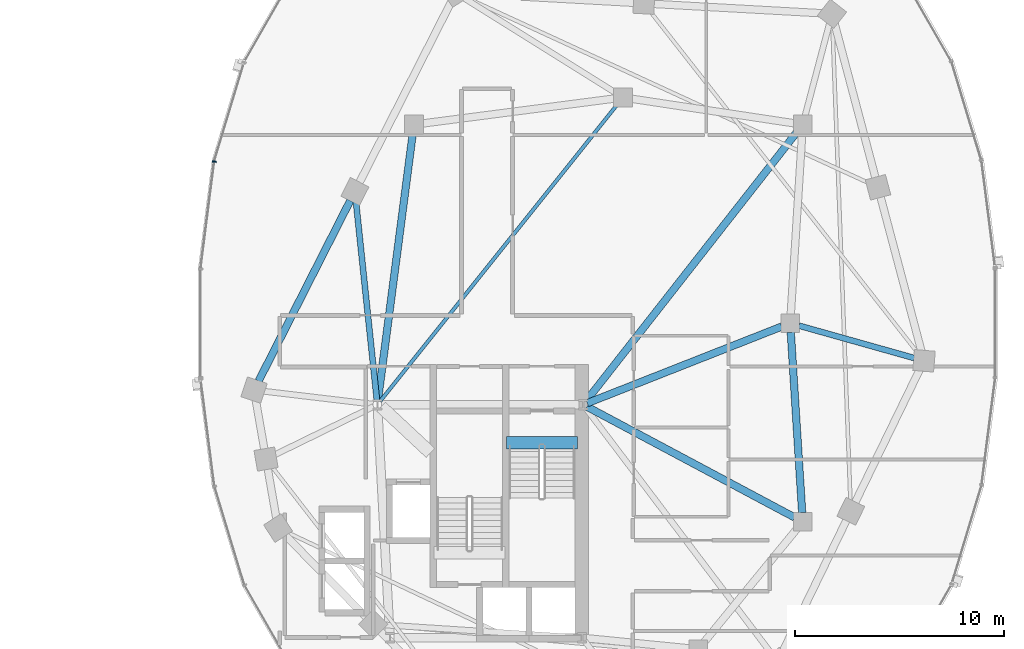
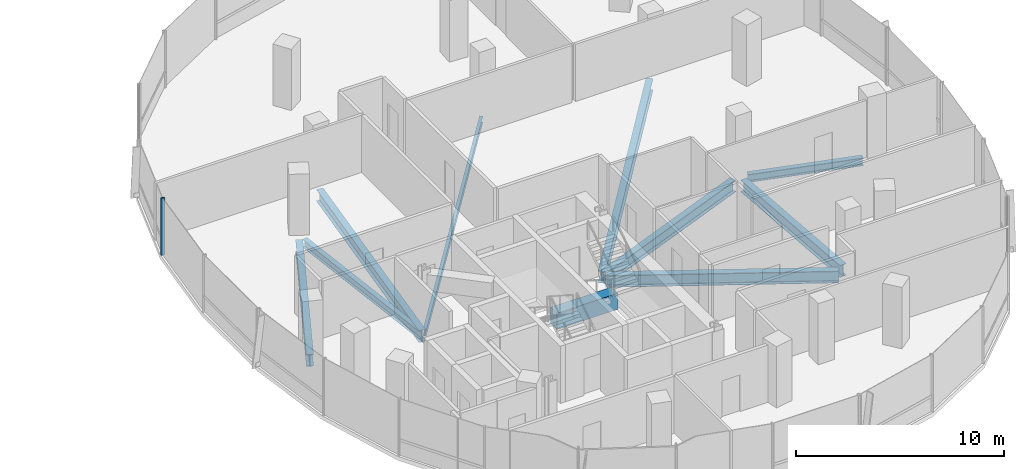
# One storey, part 7 of 22: 10 beams, 1 member, 1 element without a shape of its own.
"""IFC4 building model written with IfcOpenShell, lengths in metres."""

from ifc_helpers import new_model, si_unit, direction, frame, origin, origin_2d, place, context, subcontext, project, spatial, rectangle, i_section, extrude, material, material_profile, profile_set, type_object, element, aggregate, save


model = new_model("IFC4")

# Units and contexts
model_context = context("Model", 3, precision=1e-05, world=origin(), true_north=direction((0.0, 1.0)))
body_context = subcontext(model_context, "Body", "Model", "MODEL_VIEW")
ifc_project = project(units=[si_unit("LENGTHUNIT", "METRE"), si_unit("AREAUNIT", "SQUARE_METRE"), si_unit("VOLUMEUNIT", "CUBIC_METRE"), si_unit("PLANEANGLEUNIT", "RADIAN"), si_unit("MASSUNIT", "GRAM", prefix="KILO"), si_unit("THERMODYNAMICTEMPERATUREUNIT", "KELVIN"), si_unit("POWERUNIT", "WATT")], contexts=[model_context])

# Site, building, storey
site_placement = place(None, origin())
site = spatial("IfcSite", under=ifc_project, at=site_placement, CompositionType="ELEMENT")
building_placement = place(site_placement, origin())
building = spatial("IfcBuilding", under=site, at=building_placement, Name="Cundina Bronze Exchange", CompositionType="ELEMENT")
storey_placement = place(building_placement, frame((0.0, 0.0, 147.60009765625)))
storey = spatial("IfcBuildingStorey", under=building, at=storey_placement, Name="L38", CompositionType="ELEMENT", Elevation=147.60009765625)

# Beams
ifc_material_1 = material(Name="Concrete C60/75", Category="concrete")
ifc_material_profile_1 = material_profile(ifc_material_1, rectangle(XDim=0.60009765625, YDim=0.949951171875, at=origin_2d()), Name="RC600X950", Category="concrete")
ifc_profile_set_1 = profile_set([ifc_material_profile_1], Name="Concrete C60/75")
beam_type_1 = type_object("IfcBeamType", Name="BM-COUP-RC950", PredefinedType="LINTEL", material=ifc_profile_set_1)
beam_1_placement = place(storey_placement, frame((27.6201171875, -5.719970703125, -0.47509765625), z_axis=(1.0, 0.0, 0.0), x_axis=(0.0, 1.0, 0.0)))
element("IfcBeam", 1, at=beam_1_placement, inside=storey, type_object=beam_type_1, Name="L38 Stair E1 Landing Header Beam", PredefinedType="LINTEL", context=body_context, shape_type="SweptSolid", body=[
    extrude(rectangle(XDim=0.60009765625, YDim=0.949951171875, at=origin_2d()), origin(), (0.0, 0.0, 1.0), 3.39990234375),
])
ifc_material_2 = material(Name="Steel ASTM A992 Grade 50", Category="steel")
ifc_material_profile_2 = material_profile(ifc_material_2, i_section(OverallWidth=0.280029296875, OverallDepth=0.462890625, WebThickness=0.0107421875, FlangeThickness=0.017333984375, FilletRadius=0.011962890625, at=origin_2d()), Name="W18X76", Category="steel")
ifc_profile_set_2 = profile_set([ifc_material_profile_2], Name="Steel ASTM A992 Grade 50")
beam_type_2 = type_object("IfcBeamType", Name="BM-FLR-W18A", PredefinedType="BEAM", material=ifc_profile_set_2)
beam_2_placement = place(storey_placement, frame((41.62158203125, -0.11865234375, -0.4716796875), z_axis=(0.962649202648, -0.270751754643, 0.0), x_axis=(0.270751754643, 0.962649202648, 0.0)))
element("IfcBeam", 2, at=beam_2_placement, inside=storey, type_object=beam_type_2, Name="L38 Leg E Chordal Floor Beam 08", PredefinedType="BEAM", context=body_context, shape_type="SweptSolid", body=[
    extrude(i_section(OverallWidth=0.280029296875, OverallDepth=0.462890625, WebThickness=0.0107421875, FlangeThickness=0.017333984375, FilletRadius=0.011962890625, at=origin_2d()), origin(), (0.0, 0.0, 1.0), 5.72216796875),
])
beam_3_placement = place(storey_placement, frame((21.4287109375, -3.697021484375, -0.4716796875), z_axis=(-0.104834931651, 0.9944896365, 0.0), x_axis=(-0.9944896365, -0.104834931651, 0.0)))
element("IfcBeam", 3, at=beam_3_placement, inside=storey, type_object=beam_type_2, Name="L38 Leg E Chordal Floor Beam 13", PredefinedType="BEAM", context=body_context, shape_type="SweptSolid", body=[
    extrude(i_section(OverallWidth=0.280029296875, OverallDepth=0.462890625, WebThickness=0.0107421875, FlangeThickness=0.017333984375, FilletRadius=0.011962890625, at=origin_2d()), origin(), (0.0, 0.0, 1.0), 9.564453125),
])
ifc_material_profile_3 = material_profile(ifc_material_2, i_section(OverallWidth=0.172119140625, OverallDepth=0.35791015625, WebThickness=0.0078125, FlangeThickness=0.01318359375, FilletRadius=0.010009765625, at=origin_2d()), Name="W14X38", Category="steel")
ifc_profile_set_3 = profile_set([ifc_material_profile_3], Name="Steel ASTM A992 Grade 50")
beam_type_3 = type_object("IfcBeamType", Name="BM-JST-W14", PredefinedType="JOIST", material=ifc_profile_set_3)
beam_4_placement = place(storey_placement, frame((21.577392578125, -3.740478515625, -0.419189453125), z_axis=(0.624370675223, 0.781128196854, 0.0), x_axis=(-0.781128196854, 0.624370675223, 0.0)))
element("IfcBeam", 4, at=beam_4_placement, inside=storey, type_object=beam_type_3, Name="L38 E Interior Core-to-Ring Joist 2", PredefinedType="JOIST", context=body_context, shape_type="SweptSolid", body=[
    extrude(i_section(OverallWidth=0.172119140625, OverallDepth=0.35791015625, WebThickness=0.0078125, FlangeThickness=0.01318359375, FilletRadius=0.010009765625, at=origin_2d()), origin(), (0.0, 0.0, 1.0), 18.177001953125),
])
ifc_material_profile_4 = material_profile(ifc_material_2, i_section(OverallWidth=0.35498046875, OverallDepth=0.695068359375, WebThickness=0.015380859375, FlangeThickness=0.02490234375, FilletRadius=0.01806640625, at=origin_2d()), Name="W27X146", Category="steel")
ifc_profile_set_4 = profile_set([ifc_material_profile_4], Name="Steel ASTM A992 Grade 50")
beam_type_4 = type_object("IfcBeamType", Name="BM-RING-W27", PredefinedType="USERDEFINED", material=ifc_profile_set_4)
beam_5_placement = place(storey_placement, frame((41.7724609375, -9.06298828125, -0.587646484375), z_axis=(-0.063046519736, 0.998010589297, 0.0), x_axis=(-0.998010589297, -0.063046519736, 0.0)))
element("IfcBeam", 5, at=beam_5_placement, inside=storey, type_object=beam_type_4, Name="L38 E Inner Structural Ring Girder 03", ObjectType="GIRDER", PredefinedType="USERDEFINED", context=body_context, shape_type="SweptSolid", body=[
    extrude(i_section(OverallWidth=0.35498046875, OverallDepth=0.695068359375, WebThickness=0.015380859375, FlangeThickness=0.02490234375, FilletRadius=0.01806640625, at=origin_2d()), origin(), (0.0, 0.0, 1.0), 8.64306640625),
])
beam_6_placement = place(storey_placement, frame((23.143310546875, 9.065673828125, -0.587646484375), z_axis=(-0.129507030047, -0.991578503785, 0.0), x_axis=(0.991578503785, -0.129507030047, 0.0)))
element("IfcBeam", 6, at=beam_6_placement, inside=storey, type_object=beam_type_4, Name="L38 E Inner Structural Ring Girder 07", ObjectType="GIRDER", PredefinedType="USERDEFINED", context=body_context, shape_type="SweptSolid", body=[
    extrude(i_section(OverallWidth=0.35498046875, OverallDepth=0.695068359375, WebThickness=0.015380859375, FlangeThickness=0.02490234375, FilletRadius=0.01806640625, at=origin_2d()), origin(), (0.0, 0.0, 1.0), 12.871826171875),
])
beam_7_placement = place(storey_placement, frame((31.48974609375, -3.8251953125, -0.587646484375), z_axis=(0.930405617189, 0.36653156413, 0.0), x_axis=(-0.36653156413, 0.930405617189, 0.0)))
element("IfcBeam", 7, at=beam_7_placement, inside=storey, type_object=beam_type_4, Name="L38 E Core-to-Waist Tie Beam 1", ObjectType="GIRDER", PredefinedType="USERDEFINED", context=body_context, shape_type="SweptSolid", body=[
    extrude(i_section(OverallWidth=0.35498046875, OverallDepth=0.695068359375, WebThickness=0.015380859375, FlangeThickness=0.02490234375, FilletRadius=0.01806640625, at=origin_2d()), origin(), (0.0, 0.0, 1.0), 9.99853515625),
])
beam_8_placement = place(storey_placement, frame((31.47998046875, -3.99609375, -0.587646484375), z_axis=(0.88235534237, -0.470583733028, 0.0), x_axis=(0.470583733028, 0.88235534237, 0.0)))
element("IfcBeam", 8, at=beam_8_placement, inside=storey, type_object=beam_type_4, Name="L38 E Core-to-Waist Tie Beam 2", ObjectType="GIRDER", PredefinedType="USERDEFINED", context=body_context, shape_type="SweptSolid", body=[
    extrude(i_section(OverallWidth=0.35498046875, OverallDepth=0.695068359375, WebThickness=0.015380859375, FlangeThickness=0.02490234375, FilletRadius=0.01806640625, at=origin_2d()), origin(), (0.0, 0.0, 1.0), 11.258056640625),
])
beam_9_placement = place(storey_placement, frame((31.42578125, -3.739501953125, -0.587646484375), z_axis=(0.616779109924, 0.787136283982, 0.0), x_axis=(-0.787136283982, 0.616779109924, 0.0)))
element("IfcBeam", 9, at=beam_9_placement, inside=storey, type_object=beam_type_4, Name="L38 E Core-to-Waist Tie Beam 3", ObjectType="GIRDER", PredefinedType="USERDEFINED", context=body_context, shape_type="SweptSolid", body=[
    extrude(i_section(OverallWidth=0.35498046875, OverallDepth=0.695068359375, WebThickness=0.015380859375, FlangeThickness=0.02490234375, FilletRadius=0.01806640625, at=origin_2d()), origin(), (0.0, 0.0, 1.0), 16.3818359375),
])
beam_10_placement = place(storey_placement, frame((20.154052734375, 5.864990234375, -0.587646484375), z_axis=(-0.452834585354, -0.891594548159, 0.0), x_axis=(0.891594548159, -0.452834585354, 0.0)))
element("IfcBeam", 10, at=beam_10_placement, inside=storey, type_object=beam_type_4, Name="L38 E Perimeter Ring Girder 13", ObjectType="GIRDER", PredefinedType="USERDEFINED", context=body_context, shape_type="SweptSolid", body=[
    extrude(i_section(OverallWidth=0.35498046875, OverallDepth=0.695068359375, WebThickness=0.015380859375, FlangeThickness=0.02490234375, FilletRadius=0.01806640625, at=origin_2d()), origin(), (0.0, 0.0, 1.0), 9.67919921875),
])

# Curtain wall, member
ifc_material_3 = material(Name="Anodised Bronze Aluminium 6063-T6", Category="aluminium")
curtain_wall_type = type_object("IfcCurtainWallType", Name="CWS-WST-PIN", PredefinedType="NOTDEFINED", material=ifc_material_3)
curtain_wall_placement = place(storey_placement, origin())
curtain_wall = element("IfcCurtainWall", 11, at=curtain_wall_placement, inside=storey, type_object=curtain_wall_type, Name="L38 CW-04 Curtain Wall Run CWR-L38-E2", PredefinedType="NOTDEFINED")
ifc_material_profile_5 = material_profile(ifc_material_3, rectangle(XDim=0.070068359375, YDim=0.18994140625, at=origin_2d()), Name="AL70X190", Category="aluminium")
ifc_profile_set_5 = profile_set([ifc_material_profile_5], Name="Anodised Bronze Aluminium 6063-T6")
member_type = type_object("IfcMemberType", Name="CWM-MUL-190", PredefinedType="MULLION", material=ifc_profile_set_5)
member_placement = place(storey_placement, frame((13.642822265625, 7.731689453125, 0.0), z_axis=(0.0, 0.0, 1.0), x_axis=(-0.126545236492, -0.991960837494, 0.0)))
member = element("IfcMember", 12, at=member_placement, type_object=member_type, Name="CW-04 Mullion 6", PredefinedType="MULLION", context=body_context, shape_type="SweptSolid", body=[
    extrude(rectangle(XDim=0.070068359375, YDim=0.18994140625, at=origin_2d()), origin(), (0.0, 0.0, 1.0), 3.35986328125),
])
aggregate(curtain_wall, [member])

save(model, "model.ifc")
